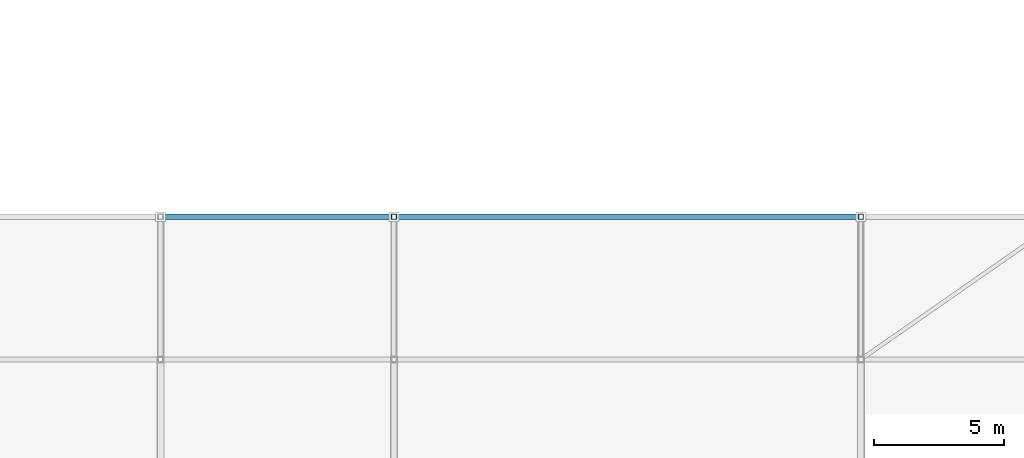
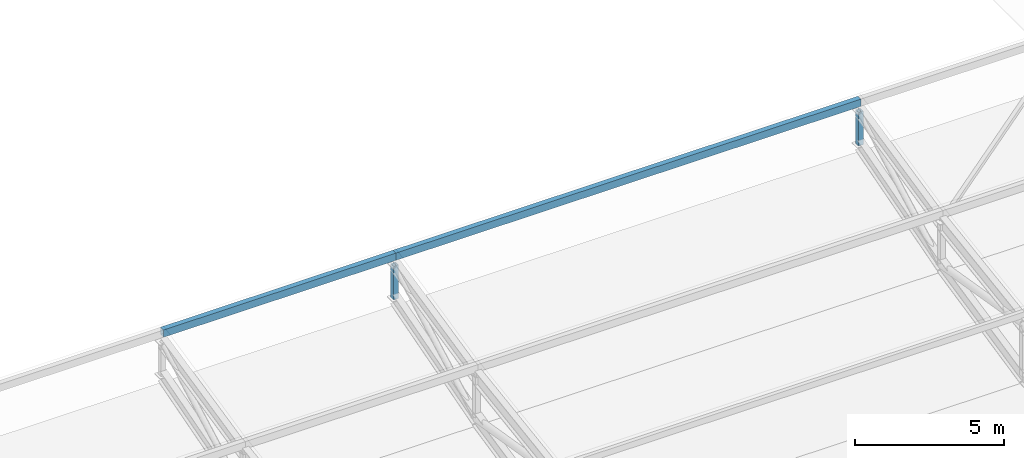
# One storey, part 47 of 114: 4 members.
"""IFC4 building model written with IfcOpenShell, lengths in metres."""

import ifcopenshell
import ifcopenshell.guid

model = None  # the IFC model being written
_history = None  # IfcOwnerHistory: only IFC2X3 demands one
_inside = {}  # id of a spatial element -> (the spatial element, [elements in it])
_under = {}  # id of a project, library or spatial element -> (it, [spatial elements below it])
_declared = {}  # id of a project -> (the project, [libraries it declares])
_typed = {}  # id of a type object -> (the type object, [elements of that type])
_made_of = {}  # id of a material, layer set ... -> (it, [elements and type objects made of it])


def new_model(schema):
    """Start an empty IFC model of exactly this schema.

    Asked for "IFC4X3", IfcOpenShell would pick the latest addendum, in which some entities
    have other attributes; the version numbers below select the first issue.
    IFC2X3 requires an IfcOwnerHistory on every rooted entity: one is made here for all.
    """
    global model, _history
    if schema == "IFC4X3":
        model = ifcopenshell.file(schema_version=(4, 3, 0, 0))
    else:
        model = ifcopenshell.file(schema=schema)
    _inside.clear()
    _under.clear()
    _declared.clear()
    _typed.clear()
    _made_of.clear()
    _history = None
    if model.schema == "IFC2X3":
        org = make("IfcOrganization", Name="unknown")
        user = make(
            "IfcPersonAndOrganization",
            ThePerson=make("IfcPerson", FamilyName="unknown"),
            TheOrganization=org,
        )
        app = make(
            "IfcApplication",
            ApplicationDeveloper=org,
            Version="unknown",
            ApplicationFullName="unknown",
            ApplicationIdentifier="unknown",
        )
        _history = make(
            "IfcOwnerHistory",
            OwningUser=user,
            OwningApplication=app,
            ChangeAction="ADDED",
            CreationDate=0,
        )
    return model


def make(cls, **values):
    """One entity of the class cls with the attributes given. An attribute that is None is left unset."""
    return model.create_entity(
        cls, **{name: value for name, value in values.items() if value is not None}
    )


def rooted(cls, **values):
    """An entity with a GlobalId (a new one), such as an element, a storey or a relation."""
    return make(cls, GlobalId=ifcopenshell.guid.new(), OwnerHistory=_history, **values)


def si_unit(unit_type, name, prefix=None):
    """IfcSIUnit, for example si_unit("LENGTHUNIT", "METRE", prefix="MILLI")."""
    return make("IfcSIUnit", UnitType=unit_type, Prefix=prefix, Name=name)


def assignment(units):
    """IfcUnitAssignment: the units of a project."""
    return None if units is None else make("IfcUnitAssignment", Units=units)


def point(xyz):
    """IfcCartesianPoint."""
    return None if xyz is None else make("IfcCartesianPoint", Coordinates=xyz)


def direction(xyz):
    """IfcDirection."""
    return None if xyz is None else make("IfcDirection", DirectionRatios=xyz)


def frame(location, z_axis=None, x_axis=None):
    """IfcAxis2Placement3D, a coordinate frame: its origin and axes. An axis left out is left unset."""
    return make(
        "IfcAxis2Placement3D",
        Location=point(location),
        Axis=direction(z_axis),
        RefDirection=direction(x_axis),
    )


def frame_2d(location, x_axis=None):
    """IfcAxis2Placement2D, a coordinate frame in the plane: its origin and x axis."""
    return make(
        "IfcAxis2Placement2D", Location=point(location), RefDirection=direction(x_axis)
    )


def origin():
    """The frame at (0, 0, 0) with its axes left unset."""
    return frame((0.0, 0.0, 0.0))


def origin_2d():
    """The frame at (0, 0) in the plane with its x axis left unset."""
    return frame_2d((0.0, 0.0))


def place(relative_to, where):
    """IfcLocalPlacement: puts the frame where relative to a parent placement (None: the world)."""
    return make(
        "IfcLocalPlacement", PlacementRelTo=relative_to, RelativePlacement=where
    )


def context(
    kind, dimensions, precision=None, world=None, true_north=None, identifier=None
):
    """IfcGeometricRepresentationContext, for example the 3D "Model" context."""
    return make(
        "IfcGeometricRepresentationContext",
        ContextIdentifier=identifier,
        ContextType=kind,
        CoordinateSpaceDimension=dimensions,
        Precision=precision,
        WorldCoordinateSystem=world,
        TrueNorth=true_north,
    )


def subcontext(parent, identifier, kind, view, scale=None):
    """IfcGeometricRepresentationSubContext, for example "Body" below "Model"."""
    return make(
        "IfcGeometricRepresentationSubContext",
        ContextIdentifier=identifier,
        ContextType=kind,
        ParentContext=parent,
        TargetScale=scale,
        TargetView=view,
    )


def project(units=None, contexts=None):
    """IfcProject with its units and contexts."""
    return rooted(
        "IfcProject",
        Name="project",
        RepresentationContexts=contexts,
        UnitsInContext=assignment(units),
    )


def spatial(cls, under=None, at=None, **own):
    """A site, building, storey or space (cls), placed at a placement, below another one or the project."""
    s = rooted(cls, ObjectPlacement=at, **own)
    if under is not None:
        _under.setdefault(under.id(), (under, []))[1].append(s)
    return s


def profile(cls, at=None, kind="AREA", **sizes):
    """A parametric profile (cls). Its sizes go by their IFC names, for example OverallWidth=200.0."""
    return make(cls, ProfileType=kind, Position=at, **sizes)


def hollow_rectangle(**sizes):
    """IfcRectangleHollowProfileDef."""
    return profile("IfcRectangleHollowProfileDef", **sizes)


def extrude(swept, where, along, depth):
    """IfcExtrudedAreaSolid: the profile swept, set in the frame where, extruded along a direction by depth."""
    return make(
        "IfcExtrudedAreaSolid",
        SweptArea=swept,
        Position=where,
        ExtrudedDirection=direction(along),
        Depth=depth,
    )


def shape(context_of_items, identifier, shape_type, items):
    """IfcShapeRepresentation: the items that make up one representation, for example the "Body"."""
    return make(
        "IfcShapeRepresentation",
        ContextOfItems=context_of_items,
        RepresentationIdentifier=identifier,
        RepresentationType=shape_type,
        Items=items,
    )


def material(Name=None, Category=None):
    """IfcMaterial."""
    return make("IfcMaterial", Name=Name, Category=Category)


def material_profile(
    of_material, cross_section, Name=None, Category=None, Priority=None
):
    """IfcMaterialProfile: a cross section and its material."""
    return make(
        "IfcMaterialProfile",
        Name=Name,
        Material=of_material,
        Profile=cross_section,
        Priority=Priority,
        Category=Category,
    )


def profile_set(profiles, Name=None, composite=None):
    """IfcMaterialProfileSet."""
    return make(
        "IfcMaterialProfileSet",
        Name=Name,
        MaterialProfiles=profiles,
        CompositeProfile=composite,
    )


def made_of(thing, what):
    """Note that an element or type object is made of a material, layer set ...; save() writes the relation."""
    if what is not None:
        _made_of.setdefault(what.id(), (what, []))[1].append(thing)
    return thing


def type_object(cls, material=None, **own):
    """A type object (cls), such as IfcWallType, which elements share."""
    return made_of(rooted(cls, **own), material)


def element(
    cls,
    number,
    at=None,
    inside=None,
    cuts=None,
    type_object=None,
    material=None,
    context=None,
    identifier="Body",
    shape_type=None,
    held_by="IfcProductDefinitionShape",
    body=None,
    shapes=None,
    **own,
):
    """One element of the class cls, such as IfcWall. Its Tag is "e" and its number.

    at: its placement. inside: the storey or other place that contains it. cuts: it is an
    opening in that element (IfcRelVoidsElement). A single representation is given by context,
    identifier, shape_type and body (its items); several are given by shapes. held_by: the class
    of the entity that holds the representations. save() writes the other relations.
    """
    e = rooted(cls, Tag="e%d" % number, ObjectPlacement=at, **own)
    if body is not None:
        shapes = [shape(context, identifier, shape_type, body)]
    if shapes is not None:
        e.Representation = make(held_by, Representations=shapes)
    if inside is not None:
        _inside.setdefault(inside.id(), (inside, []))[1].append(e)
    if cuts is not None:
        rooted(
            "IfcRelVoidsElement", RelatingBuildingElement=cuts, RelatedOpeningElement=e
        )
    if type_object is not None:
        _typed.setdefault(type_object.id(), (type_object, []))[1].append(e)
    return made_of(e, material)


def aggregate(whole, parts):
    """IfcRelAggregates: a whole, such as a stair, and the parts it consists of."""
    return rooted("IfcRelAggregates", RelatingObject=whole, RelatedObjects=parts)


def save(model, path):
    """Write the relations noted so far, then the file.

    IfcRelAggregates (storeys below a building ...), IfcRelContainedInSpatialStructure (elements
    in a storey), IfcRelDefinesByType, IfcRelAssociatesMaterial and IfcRelDeclares: one each for
    every whole, place, type object, material and project.
    """
    for whole, parts in _under.values():
        aggregate(whole, parts)
    for where, things in _inside.values():
        rooted(
            "IfcRelContainedInSpatialStructure",
            RelatedElements=things,
            RelatingStructure=where,
        )
    for kind, things in _typed.values():
        rooted("IfcRelDefinesByType", RelatedObjects=things, RelatingType=kind)
    for what, things in _made_of.values():
        rooted("IfcRelAssociatesMaterial", RelatedObjects=things, RelatingMaterial=what)
    for by, libraries in _declared.values():
        rooted("IfcRelDeclares", RelatingContext=by, RelatedDefinitions=libraries)
    model.write(path)


model = new_model("IFC4")

# Units and contexts
model_context = context("Model", 3, precision=1e-05, world=origin(), true_north=direction((0.0, 1.0)))
body_context = subcontext(model_context, "Body", "Model", "MODEL_VIEW")
ifc_project = project(units=[si_unit("LENGTHUNIT", "METRE"), si_unit("AREAUNIT", "SQUARE_METRE"), si_unit("VOLUMEUNIT", "CUBIC_METRE"), si_unit("PLANEANGLEUNIT", "RADIAN"), si_unit("MASSUNIT", "GRAM", prefix="KILO"), si_unit("THERMODYNAMICTEMPERATUREUNIT", "KELVIN"), si_unit("POWERUNIT", "WATT")], contexts=[model_context])

# Site, building, storey
site_placement = place(None, origin())
site = spatial("IfcSite", under=ifc_project, at=site_placement, CompositionType="ELEMENT")
building_placement = place(site_placement, origin())
building = spatial("IfcBuilding", under=site, at=building_placement, Name="Sindhuravela Promenade Stadium", CompositionType="ELEMENT")
storey_placement = place(building_placement, frame((0.0, 0.0, 24.0)))
storey = spatial("IfcBuildingStorey", under=building, at=storey_placement, Name="L05", CompositionType="ELEMENT", Elevation=24.0)

# Members
ifc_material = material(Name="Steel E350 (IS 2062 E350BR)", Category="steel")
ifc_material_profile_1 = material_profile(ifc_material, hollow_rectangle(XDim=0.199951171875, YDim=0.300048828125, WallThickness=0.010009765625, at=origin_2d()), Name="RHS 300x200x10")
ifc_profile_set_1 = profile_set([ifc_material_profile_1], Name="Steel E350 (IS 2062 E350BR)")
member_type_1 = type_object("IfcMemberType", Name="ST-MB-RHS300", PredefinedType="PURLIN", material=ifc_profile_set_1)
member_1_placement = place(storey_placement, frame((126.0, 43.5, 4.76708984375), z_axis=(1.0, 0.0, 0.0), x_axis=(0.0, 1.0, 0.0)))
element("IfcMember", 1, at=member_1_placement, inside=storey, type_object=member_type_1, Name="Roof purlin PR02 S bay 6.6", PredefinedType="PURLIN", context=body_context, shape_type="SweptSolid", body=[
    extrude(hollow_rectangle(XDim=0.199951171875, YDim=0.300048828125, WallThickness=0.010009765625, at=origin_2d()), origin(), (0.0, 0.0, 1.0), 9.0),
])
member_2_placement = place(storey_placement, frame((135.0, 43.5, 4.76708984375), z_axis=(1.0, 0.0, 0.0), x_axis=(0.0, 1.0, 0.0)))
element("IfcMember", 2, at=member_2_placement, inside=storey, type_object=member_type_1, Name="Roof purlin PR02 S bay 7.6", PredefinedType="PURLIN", context=body_context, shape_type="SweptSolid", body=[
    extrude(hollow_rectangle(XDim=0.199951171875, YDim=0.300048828125, WallThickness=0.010009765625, at=origin_2d()), origin(), (0.0, 0.0, 1.0), 18.0),
])
ifc_material_profile_2 = material_profile(ifc_material, hollow_rectangle(XDim=0.199951171875, YDim=0.199951171875, WallThickness=0.010009765625, at=origin_2d()), Name="SHS 200x200x10")
ifc_profile_set_2 = profile_set([ifc_material_profile_2], Name="Steel E350 (IS 2062 E350BR)")
member_type_2 = type_object("IfcMemberType", Name="ST-MB-SHS200", PredefinedType="POST", material=ifc_profile_set_2)
for number, where, z_axis, x_axis, name in (
    (3, (135.0, 43.5, 3.02490234375), (0.0, 0.0, 1.0), (1.0, 0.0, 0.0), "Roof truss RT-S07 vertical post 6"),
    (4, (153.0, 43.5, 3.02490234375), (0.0, 0.0, 1.0), (1.0, 0.0, 0.0), "Roof truss RT-S08 vertical post 6"),
):
    element("IfcMember", number, at=place(storey_placement, frame(where, z_axis=z_axis, x_axis=x_axis)), inside=storey, type_object=member_type_2, Name=name, PredefinedType="POST", context=body_context, shape_type="SweptSolid", body=[
        extrude(hollow_rectangle(XDim=0.199951171875, YDim=0.199951171875, WallThickness=0.010009765625, at=origin_2d()), origin(), (0.0, 0.0, 1.0), 1.375),
    ])

save(model, "model.ifc")
